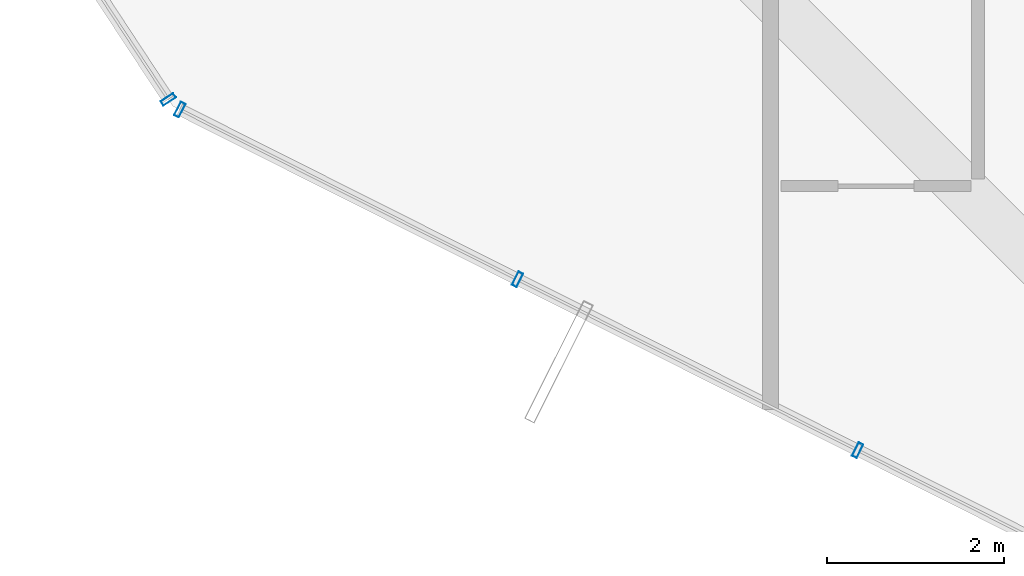
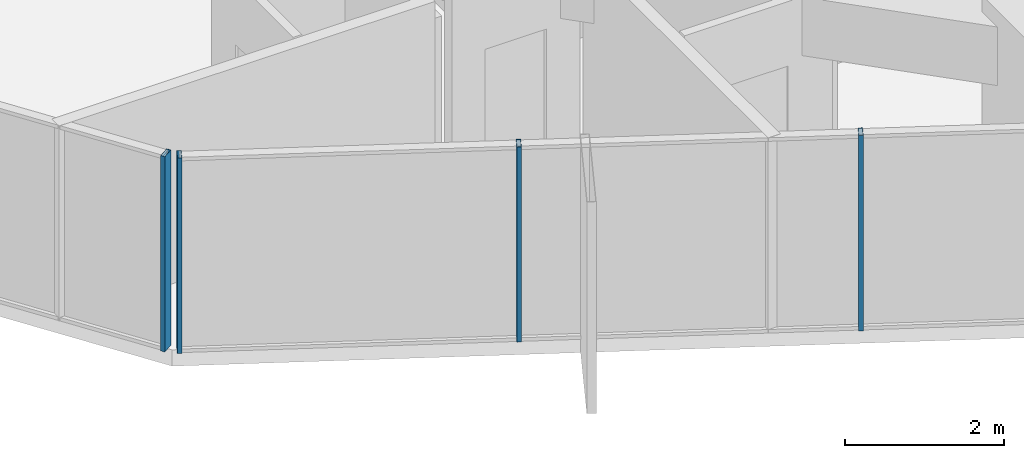
# One storey, part 2 of 33: 4 members, 2 elements without a shape of their own.
"""IFC4 building model written with IfcOpenShell, lengths in metres."""

from ifc_helpers import new_model, si_unit, direction, frame, origin, origin_2d, place, context, subcontext, project, spatial, hollow_rectangle, extrude, source, transform, mapped, material, layer, layer_set, material_profile, profile_set, type_object, element, aggregate, save


model = new_model("IFC4")

# Units and contexts
model_context = context("Model", 3, precision=1e-05, world=origin(), true_north=direction((0.0, 1.0)))
body_context = subcontext(model_context, "Body", "Model", "MODEL_VIEW")
ifc_project = project(units=[si_unit("LENGTHUNIT", "METRE"), si_unit("AREAUNIT", "SQUARE_METRE"), si_unit("VOLUMEUNIT", "CUBIC_METRE"), si_unit("PLANEANGLEUNIT", "RADIAN"), si_unit("MASSUNIT", "GRAM", prefix="KILO")], contexts=[model_context])

# Site, building, storey
site_placement = place(None, origin())
site = spatial("IfcSite", under=ifc_project, at=site_placement, CompositionType="ELEMENT")
building_placement = place(site_placement, origin())
building = spatial("IfcBuilding", under=site, at=building_placement, Name="Veraguas Prism Commons", CompositionType="ELEMENT")
storey_placement = place(building_placement, frame((0.0, 0.0, 139.25)))
storey = spatial("IfcBuildingStorey", under=building, at=storey_placement, Name="L39", CompositionType="ELEMENT", Elevation=139.25)

# Curtain wall, members
ifc_material = material(Name="Anodised aluminium EN AW-6063 T6", Category="aluminium")
ifc_layer = layer(ifc_material, 0.169921875, Name="Unitised Flush Curtain Wall Zone 2", Category="aluminium")
ifc_layer_set = layer_set([ifc_layer], Name="Anodised aluminium EN AW-6063 T6")
curtain_wall_type = type_object("IfcCurtainWallType", Name="Unitised Flush Curtain Wall Zone 2", PredefinedType="NOTDEFINED", material=ifc_layer_set)
curtain_wall_1_placement = place(storey_placement, origin())
curtain_wall_1 = element("IfcCurtainWall", 1, at=curtain_wall_1_placement, inside=storey, type_object=curtain_wall_type, Name="Tower Facade Curtain Wall L39-F4", PredefinedType="NOTDEFINED")
ifc_material_profile = material_profile(ifc_material, hollow_rectangle(XDim=0.06005859375, YDim=0.169921875, WallThickness=0.00390625, at=origin_2d()), Name="AL60X170X4")
ifc_profile_set = profile_set([ifc_material_profile], Name="Anodised aluminium EN AW-6063 T6")
member_type = type_object("IfcMemberType", Name="Curtain Wall Mullion Lower AL 60x170x4", PredefinedType="MULLION", material=ifc_profile_set)
shared_shape = source(origin(), body_context, "Body", "SweptSolid", [
    extrude(hollow_rectangle(XDim=0.06005859375, YDim=0.169921875, WallThickness=0.00390625, at=origin_2d()), origin(), (0.0, 0.0, 1.0), 3.0),
])
member_1_placement = place(storey_placement, frame((7.714111328125, 10.7158203125, 0.0), z_axis=(0.0, 0.0, 1.0), x_axis=(0.893525824808, -0.449011804301, 0.0)))
member_1 = element("IfcMember", 2, at=member_1_placement, type_object=member_type, Name="CW-Z2 Mullion 1", PredefinedType="MULLION", context=body_context, shape_type="MappedRepresentation", body=[
    mapped(shared_shape, transform((0.0, 0.0, 0.0), scale=1.0)),
])
member_2_placement = place(storey_placement, frame((11.537109375, 8.794677734375, 0.0), z_axis=(0.0, 0.0, 1.0), x_axis=(0.893525824808, -0.449011804301, 0.0)))
member_2 = element("IfcMember", 3, at=member_2_placement, type_object=member_type, Name="CW-Z2 Mullion 2", PredefinedType="MULLION", context=body_context, shape_type="MappedRepresentation", body=[
    mapped(shared_shape, transform((0.0, 0.0, 0.0), scale=1.0)),
])
member_3_placement = place(storey_placement, frame((15.386962890625, 6.85986328125, 0.0), z_axis=(0.0, 0.0, 1.0), x_axis=(0.893525824808, -0.449011804301, 0.0)))
member_3 = element("IfcMember", 4, at=member_3_placement, type_object=member_type, Name="CW-Z2 Mullion 3", PredefinedType="MULLION", context=body_context, shape_type="MappedRepresentation", body=[
    mapped(shared_shape, transform((0.0, 0.0, 0.0), scale=1.0)),
])
aggregate(curtain_wall_1, [member_1, member_2, member_3])

# Curtain wall, member
curtain_wall_2_placement = place(storey_placement, origin())
curtain_wall_2 = element("IfcCurtainWall", 5, at=curtain_wall_2_placement, inside=storey, type_object=curtain_wall_type, Name="Chamfer Curtain Wall L39-C4", PredefinedType="NOTDEFINED")
member_4_placement = place(storey_placement, frame((7.584228515625, 10.831298828125, 0.0), z_axis=(0.0, 0.0, 1.0), x_axis=(0.549298493581, -0.835626211263, 0.0)))
member_4 = element("IfcMember", 6, at=member_4_placement, type_object=member_type, Name="CW-Z2 Mullion 2", PredefinedType="MULLION", context=body_context, shape_type="MappedRepresentation", body=[
    mapped(shared_shape, transform((0.0, 0.0, 0.0), scale=1.0)),
])
aggregate(curtain_wall_2, [member_4])

save(model, "model.ifc")
